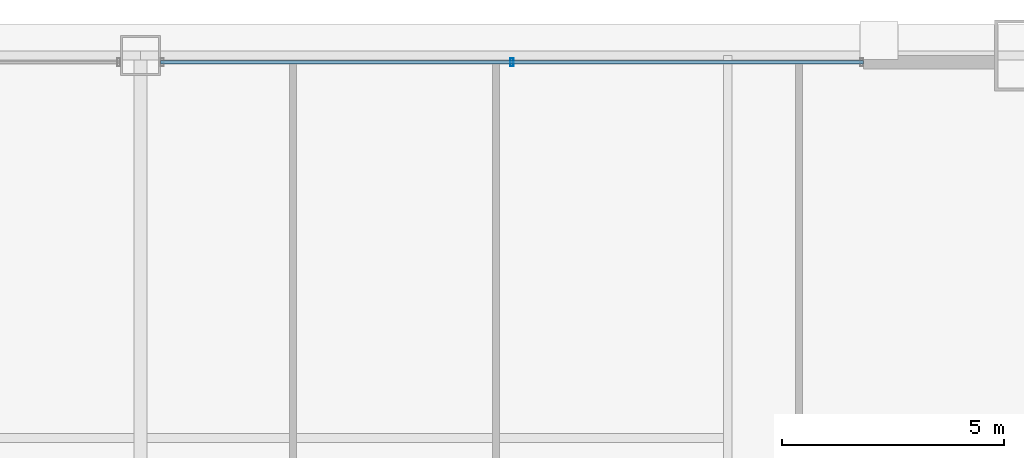
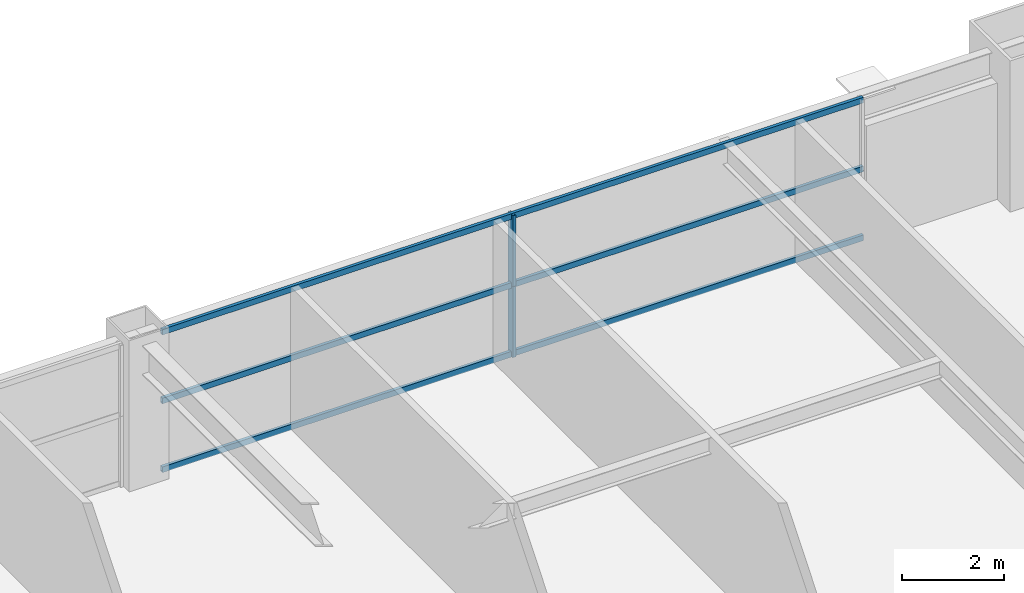
# One storey, part 30 of 38: 5 members, 1 element without a shape of its own.
"""IFC4 building model written with IfcOpenShell, lengths in metres."""

from ifc_helpers import new_model, si_unit, direction, frame, origin, origin_2d, place, context, subcontext, project, spatial, hollow_rectangle, extrude, source, transform, mapped, material, layer, layer_set, material_profile, profile_set, type_object, element, aggregate, save


model = new_model("IFC4")

# Units and contexts
model_context = context("Model", 3, precision=1e-05, world=origin(), true_north=direction((0.0, 1.0)))
body_context = subcontext(model_context, "Body", "Model", "MODEL_VIEW")
ifc_project = project(units=[si_unit("LENGTHUNIT", "METRE"), si_unit("AREAUNIT", "SQUARE_METRE"), si_unit("VOLUMEUNIT", "CUBIC_METRE"), si_unit("PLANEANGLEUNIT", "RADIAN"), si_unit("MASSUNIT", "GRAM", prefix="KILO"), si_unit("THERMODYNAMICTEMPERATUREUNIT", "KELVIN"), si_unit("POWERUNIT", "WATT")], contexts=[model_context])

# Site, building, storey
site_placement = place(None, origin())
site = spatial("IfcSite", under=ifc_project, at=site_placement, CompositionType="ELEMENT")
building_placement = place(site_placement, origin())
building = spatial("IfcBuilding", under=site, at=building_placement, Name="Yuzanri Waterfront Tower", CompositionType="ELEMENT")
storey_placement = place(building_placement, frame((0.0, 0.0, 90.199951171875)))
storey = spatial("IfcBuildingStorey", under=building, at=storey_placement, Name="L23", CompositionType="ELEMENT", Elevation=90.199951171875)

# Curtain wall, members
ifc_material_1 = material(Name="Anodized Architectural Bronze", Category="metal")
ifc_layer = layer(ifc_material_1, 0.159912109375)
ifc_layer_set = layer_set([ifc_layer], Name="Anodized Architectural Bronze")
curtain_wall_type = type_object("IfcCurtainWallType", Name="Anodized Bronze Hotel Upper-Tier Solar-Control Unitized Curtain Wall 7800", PredefinedType="NOTDEFINED", material=ifc_layer_set)
curtain_wall_placement = place(storey_placement, origin())
curtain_wall = element("IfcCurtainWall", 1, at=curtain_wall_placement, inside=storey, type_object=curtain_wall_type, Name="L23 Curtain Wall CW-L23-NR", PredefinedType="NOTDEFINED")
ifc_material_2 = material(Name="Anodized Architectural Bronze", Category="metal")
ifc_material_profile_1 = material_profile(ifc_material_2, hollow_rectangle(XDim=0.070068359375, YDim=0.179931640625, WallThickness=0.00390625, at=origin_2d()), Name="CWM 70x180")
ifc_profile_set_1 = profile_set([ifc_material_profile_1], Name="Anodized Architectural Bronze")
member_type_1 = type_object("IfcMemberType", Name="Anodized Bronze Standard Curtain-Wall Mullion 70x180", PredefinedType="MULLION", material=ifc_profile_set_1)
shared_shape_1 = source(origin(), body_context, "Body", "SweptSolid", [
    extrude(hollow_rectangle(XDim=0.070068359375, YDim=0.179931640625, WallThickness=0.00390625, at=origin_2d()), origin(), (0.0, 0.0, 1.0), 1.68798828125),
])
member_1_placement = place(storey_placement, frame((45.35009765625, 49.25, 0.0), z_axis=(0.0, 0.0, 1.0), x_axis=(1.0, 0.0, 0.0)))
member_1 = element("IfcMember", 2, at=member_1_placement, type_object=member_type_1, Name="CW-L23-NR Lower Mullion 01", PredefinedType="MULLION", context=body_context, shape_type="MappedRepresentation", body=[
    mapped(shared_shape_1, transform((0.0, 0.0, 0.0), scale=1.0)),
])
member_2_placement = place(storey_placement, frame((45.35009765625, 49.25, 1.692138671875), z_axis=(0.0, 0.0, 1.0), x_axis=(1.0, 0.0, 0.0)))
member_2 = element("IfcMember", 3, at=member_2_placement, type_object=member_type_1, Name="CW-L23-NR Upper Mullion 01", PredefinedType="MULLION", context=body_context, shape_type="MappedRepresentation", body=[
    mapped(shared_shape_1, transform((0.0, 0.0, 0.0), scale=1.0)),
])
ifc_material_3 = material(Name="Anodized Architectural Bronze", Category="metal")
ifc_material_profile_2 = material_profile(ifc_material_3, hollow_rectangle(XDim=0.070068359375, YDim=0.135009765625, WallThickness=0.00341796875, at=origin_2d()), Name="CWT 70x135")
ifc_profile_set_2 = profile_set([ifc_material_profile_2], Name="Anodized Architectural Bronze")
member_type_2 = type_object("IfcMemberType", Name="Anodized Bronze Standard Curtain-Wall Transom 70x135", PredefinedType="USERDEFINED", material=ifc_profile_set_2)
shared_shape_2 = source(origin(), body_context, "Body", "SweptSolid", [
    extrude(hollow_rectangle(XDim=0.070068359375, YDim=0.135009765625, WallThickness=0.00341796875, at=origin_2d()), origin(), (0.0, 0.0, 1.0), 15.800048828125),
])
member_3_placement = place(storey_placement, frame((37.449951171875, 49.25, 0.050048828125), z_axis=(1.0, 0.0, 0.0), x_axis=(0.0, 1.0, 0.0)))
member_3 = element("IfcMember", 4, at=member_3_placement, type_object=member_type_2, Name="CW-L23-NR Transom 1", ObjectType="TRANSOM", PredefinedType="USERDEFINED", context=body_context, shape_type="MappedRepresentation", body=[
    mapped(shared_shape_2, transform((0.0, 0.0, 0.0), scale=1.0)),
])
member_4_placement = place(storey_placement, frame((37.449951171875, 49.25, 1.68994140625), z_axis=(1.0, 0.0, 0.0), x_axis=(0.0, 1.0, 0.0)))
member_4 = element("IfcMember", 5, at=member_4_placement, type_object=member_type_2, Name="CW-L23-NR Transom 2", ObjectType="TRANSOM", PredefinedType="USERDEFINED", context=body_context, shape_type="MappedRepresentation", body=[
    mapped(shared_shape_2, transform((0.0, 0.0, 0.0), scale=1.0)),
])
member_5_placement = place(storey_placement, frame((37.449951171875, 49.25, 3.330078125), z_axis=(1.0, 0.0, 0.0), x_axis=(0.0, 1.0, 0.0)))
member_5 = element("IfcMember", 6, at=member_5_placement, type_object=member_type_2, Name="CW-L23-NR Transom 3", ObjectType="TRANSOM", PredefinedType="USERDEFINED", context=body_context, shape_type="MappedRepresentation", body=[
    mapped(shared_shape_2, transform((0.0, 0.0, 0.0), scale=1.0)),
])
aggregate(curtain_wall, [member_1, member_2, member_3, member_4, member_5])

save(model, "model.ifc")
